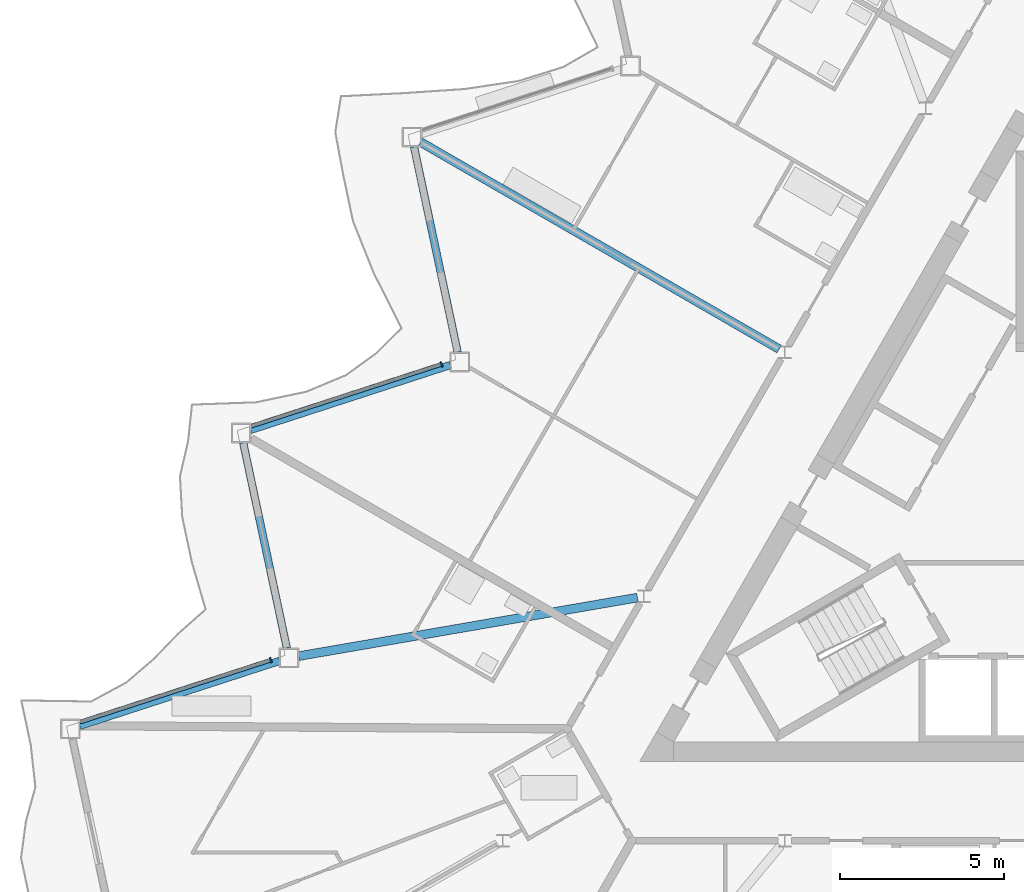
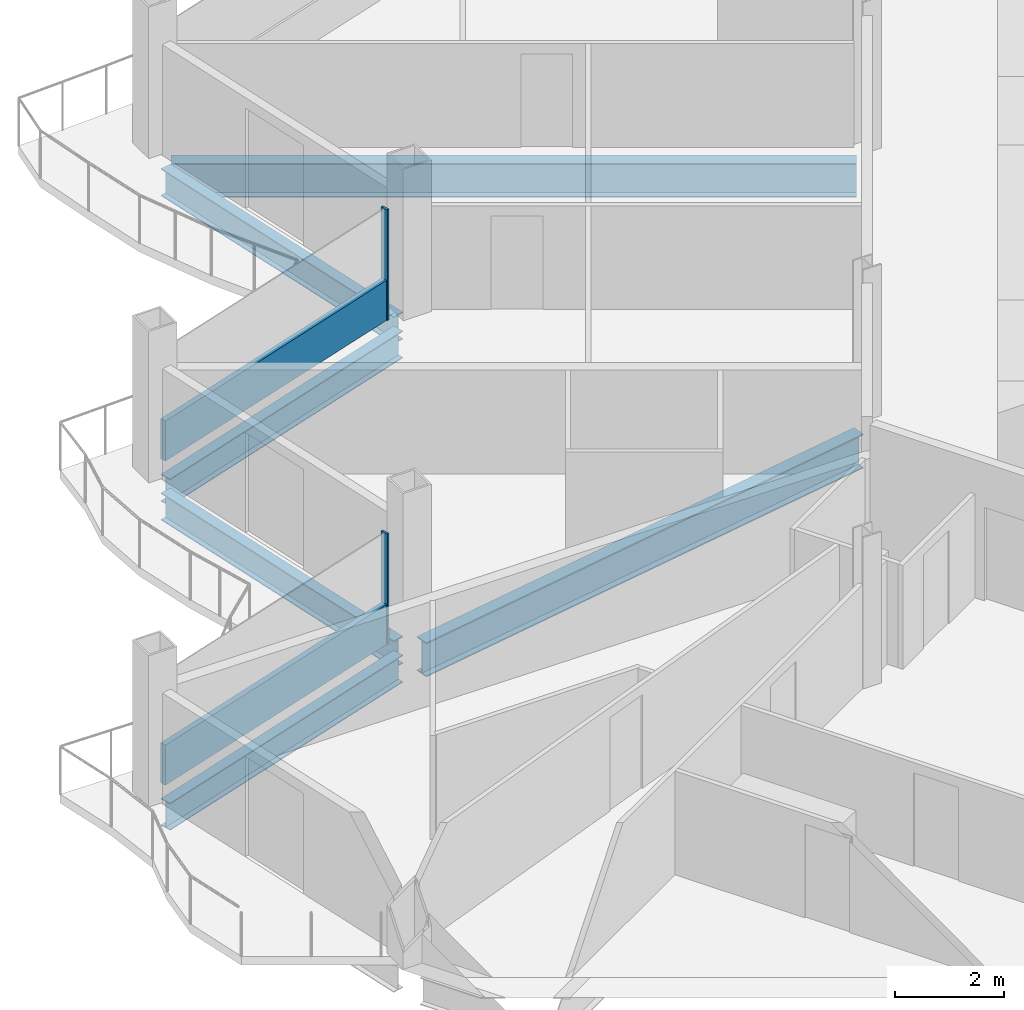
# One storey, part 6 of 26: 6 beams, 4 members, 2 elements without a shape of their own.
"""IFC4 building model written with IfcOpenShell, lengths in metres."""

from ifc_helpers import new_model, si_unit, direction, frame, origin, origin_2d, place, context, subcontext, project, spatial, rectangle, i_section, extrude, material, layer, layer_set, material_profile, profile_set, type_object, element, aggregate, save


model = new_model("IFC4")

# Units and contexts
model_context = context("Model", 3, precision=1e-05, world=origin(), true_north=direction((0.0, 1.0)))
body_context = subcontext(model_context, "Body", "Model", "MODEL_VIEW")
ifc_project = project(units=[si_unit("LENGTHUNIT", "METRE"), si_unit("AREAUNIT", "SQUARE_METRE"), si_unit("VOLUMEUNIT", "CUBIC_METRE"), si_unit("PLANEANGLEUNIT", "RADIAN"), si_unit("MASSUNIT", "GRAM", prefix="KILO")], contexts=[model_context])

# Site, building, storey
site_placement = place(None, origin())
site = spatial("IfcSite", under=ifc_project, at=site_placement, CompositionType="ELEMENT")
building_placement = place(site_placement, origin())
building = spatial("IfcBuilding", under=site, at=building_placement, Name="Cormorant Prow Tower", CompositionType="ELEMENT")
storey_placement = place(building_placement, frame((0.0, 0.0, 339.199951171875)))
storey = spatial("IfcBuildingStorey", under=building, at=storey_placement, Name="L76", CompositionType="ELEMENT", Elevation=339.199951171875)

# Beams
ifc_material_1 = material(Name="Structural steel ASTM A992 Gr 50", Category="steel")
ifc_material_profile_1 = material_profile(ifc_material_1, i_section(OverallWidth=0.267822265625, OverallDepth=0.77001953125, WebThickness=0.015625, FlangeThickness=0.025390625, at=origin_2d()), Name="W30x132")
ifc_profile_set_1 = profile_set([ifc_material_profile_1], Name="Structural steel ASTM A992 Gr 50")
beam_type_1 = type_object("IfcBeamType", Name="Radial floor beam W30x132", PredefinedType="BEAM", material=ifc_profile_set_1)
beam_1_placement = place(storey_placement, frame((-8.749755859375, 5.051513671875, -0.684814453125), z_axis=(-0.866021086443, 0.50000747778, 0.0), x_axis=(-0.50000747778, -0.866021086443, 0.0)))
element("IfcBeam", 1, at=beam_1_placement, inside=storey, type_object=beam_type_1, Name="Radial floor beam FB3 3 L76", PredefinedType="BEAM", context=body_context, shape_type="SweptSolid", body=[
    extrude(i_section(OverallWidth=0.267822265625, OverallDepth=0.77001953125, WebThickness=0.015625, FlangeThickness=0.025390625, at=origin_2d()), origin(), (0.0, 0.0, 1.0), 12.604736328125),
])
beam_2_placement = place(storey_placement, frame((-13.0625, -2.510009765625, -0.684814453125), z_axis=(-0.985379592304, -0.170373293304, 0.0), x_axis=(0.170373293304, -0.985379592304, 0.0)))
element("IfcBeam", 2, at=beam_2_placement, inside=storey, type_object=beam_type_1, Name="Radial floor beam FB3 4 L76", PredefinedType="BEAM", context=body_context, shape_type="SweptSolid", body=[
    extrude(i_section(OverallWidth=0.267822265625, OverallDepth=0.77001953125, WebThickness=0.015625, FlangeThickness=0.025390625, at=origin_2d()), origin(), (0.0, 0.0, 1.0), 10.465087890625),
])

# Curtain wall, member
ifc_material_2 = material(Name="Aluminium 6063-T6", Category="aluminium")
ifc_layer = layer(ifc_material_2, 0.159912109375)
ifc_layer_set = layer_set([ifc_layer], Name="Aluminium 6063-T6")
curtain_wall_type = type_object("IfcCurtainWallType", Name="Residential unitised curtain wall 160", PredefinedType="NOTDEFINED", material=ifc_layer_set)
curtain_wall_1_placement = place(storey_placement, origin())
curtain_wall_1 = element("IfcCurtainWall", 3, at=curtain_wall_1_placement, inside=storey, type_object=curtain_wall_type, Name="Residential curtain wall WNW06", PredefinedType="NOTDEFINED")
ifc_material_3 = material(Name="Aluminium 6063-T6", Category="aluminium")
ifc_material_profile_2 = material_profile(ifc_material_3, rectangle(XDim=0.159912109375, YDim=0.050048828125, at=origin_2d()), Name="Residential mullion 50x160")
ifc_profile_set_2 = profile_set([ifc_material_profile_2], Name="Aluminium 6063-T6")
member_type_1 = type_object("IfcMemberType", Name="Residential mullion 50x160", PredefinedType="MULLION", material=ifc_profile_set_2)
member_1_placement = place(storey_placement, frame((-19.02685546875, 4.58984375, 0.0), z_axis=(0.0, 0.0, 1.0), x_axis=(0.309017030329, -0.951056504613, 0.0)))
member_1 = element("IfcMember", 4, at=member_1_placement, type_object=member_type_1, Name="Residential mullion WNW06", PredefinedType="MULLION", context=body_context, shape_type="SweptSolid", body=[
    extrude(rectangle(XDim=0.159912109375, YDim=0.050048828125, at=origin_2d()), origin(), (0.0, 0.0, 1.0), 2.488037109375),
])

curtain_wall_2_placement = place(storey_placement, origin())
curtain_wall_2 = element("IfcCurtainWall", 5, at=curtain_wall_2_placement, inside=storey, type_object=curtain_wall_type, Name="Residential curtain wall WNW08", PredefinedType="NOTDEFINED")
member_2_placement = place(storey_placement, frame((-24.224365234375, -4.41259765625, 0.0), z_axis=(0.0, 0.0, 1.0), x_axis=(0.309017072341, -0.951056490963, 0.0)))
member_2 = element("IfcMember", 6, at=member_2_placement, type_object=member_type_1, Name="Residential mullion WNW08", PredefinedType="MULLION", context=body_context, shape_type="SweptSolid", body=[
    extrude(rectangle(XDim=0.159912109375, YDim=0.050048828125, at=origin_2d()), origin(), (0.0, 0.0, 1.0), 2.488037109375),
])

# Member
ifc_material_4 = material(Name="Terracotta", Category="masonry")
ifc_material_profile_3 = material_profile(ifc_material_4, rectangle(XDim=0.1201171875, YDim=0.89990234375, at=origin_2d()), Name="Residential terracotta spandrel rail 120x900")
ifc_profile_set_3 = profile_set([ifc_material_profile_3], Name="Terracotta")
member_type_2 = type_object("IfcMemberType", Name="Residential terracotta spandrel rail 120x900", PredefinedType="USERDEFINED", material=ifc_profile_set_3)
member_3_placement = place(storey_placement, frame((-19.05078125, 4.58203125, 0.449951171875), z_axis=(-0.951050898488, -0.309034283674, 0.0), x_axis=(0.309034283674, -0.951050898488, 0.0)))
member_3 = element("IfcMember", 7, at=member_3_placement, type_object=member_type_2, Name="Residential spandrel rail WNW06", ObjectType="TRANSOM", PredefinedType="USERDEFINED", context=body_context, shape_type="SweptSolid", body=[
    extrude(rectangle(XDim=0.1201171875, YDim=0.89990234375, at=origin_2d()), origin(), (0.0, 0.0, 1.0), 6.075927734375),
])

aggregate(curtain_wall_1, [member_1, member_3])

member_4_placement = place(storey_placement, frame((-24.248291015625, -4.42041015625, 0.449951171875), z_axis=(-0.951062707515, -0.30899793911, 0.0), x_axis=(0.30899793911, -0.951062707515, 0.0)))
member_4 = element("IfcMember", 8, at=member_4_placement, type_object=member_type_2, Name="Residential spandrel rail WNW08", ObjectType="TRANSOM", PredefinedType="USERDEFINED", context=body_context, shape_type="SweptSolid", body=[
    extrude(rectangle(XDim=0.1201171875, YDim=0.89990234375, at=origin_2d()), origin(), (0.0, 0.0, 1.0), 6.075927734375),
])

aggregate(curtain_wall_2, [member_2, member_4])

# Beams
ifc_material_5 = material(Name="Structural steel ASTM A992 Gr 50", Category="steel")
ifc_material_profile_4 = material_profile(ifc_material_5, i_section(OverallWidth=0.22900390625, OverallDepth=0.612060546875, WebThickness=0.011962890625, FlangeThickness=0.01953125, at=origin_2d()), Name="W24x84")
ifc_profile_set_4 = profile_set([ifc_material_profile_4], Name="Structural steel ASTM A992 Gr 50")
beam_type_2 = type_object("IfcBeamType", Name="Spandrel beam W24x84", PredefinedType="SPANDREL", material=ifc_profile_set_4)
beam_3_placement = place(storey_placement, frame((-19.86328125, 11.210693359375, -0.60595703125), z_axis=(0.20791262393, -0.978147402394, 0.0), x_axis=(0.978147402394, 0.20791262393, 0.0)))
element("IfcBeam", 9, at=beam_3_placement, inside=storey, type_object=beam_type_2, Name="Spandrel beam SB3 WNW05-WNW06 L76", PredefinedType="SPANDREL", context=body_context, shape_type="SweptSolid", body=[
    extrude(i_section(OverallWidth=0.22900390625, OverallDepth=0.612060546875, WebThickness=0.011962890625, FlangeThickness=0.01953125, at=origin_2d()), origin(), (0.0, 0.0, 1.0), 6.396240234375),
])
beam_4_placement = place(storey_placement, frame((-18.75634765625, 4.568115234375, -0.60595703125), z_axis=(-0.951064359156, -0.308992855489, 0.0), x_axis=(0.308992855489, -0.951064359156, 0.0)))
element("IfcBeam", 10, at=beam_4_placement, inside=storey, type_object=beam_type_2, Name="Spandrel beam SB3 WNW06-WNW07 L76", PredefinedType="SPANDREL", context=body_context, shape_type="SweptSolid", body=[
    extrude(i_section(OverallWidth=0.22900390625, OverallDepth=0.612060546875, WebThickness=0.011962890625, FlangeThickness=0.01953125, at=origin_2d()), origin(), (0.0, 0.0, 1.0), 6.39599609375),
])
beam_5_placement = place(storey_placement, frame((-25.062255859375, 2.20556640625, -0.60595703125), z_axis=(0.20791262393, -0.978147402394, 0.0), x_axis=(0.978147402394, 0.20791262393, 0.0)))
element("IfcBeam", 11, at=beam_5_placement, inside=storey, type_object=beam_type_2, Name="Spandrel beam SB3 WNW07-WNW08 L76", PredefinedType="SPANDREL", context=body_context, shape_type="SweptSolid", body=[
    extrude(i_section(OverallWidth=0.22900390625, OverallDepth=0.612060546875, WebThickness=0.011962890625, FlangeThickness=0.01953125, at=origin_2d()), origin(), (0.0, 0.0, 1.0), 6.396240234375),
])
beam_6_placement = place(storey_placement, frame((-23.955322265625, -4.43701171875, -0.60595703125), z_axis=(-0.951064359156, -0.308992855489, 0.0), x_axis=(0.308992855489, -0.951064359156, 0.0)))
element("IfcBeam", 12, at=beam_6_placement, inside=storey, type_object=beam_type_2, Name="Spandrel beam SB3 WNW08-WNW09 L76", PredefinedType="SPANDREL", context=body_context, shape_type="SweptSolid", body=[
    extrude(i_section(OverallWidth=0.22900390625, OverallDepth=0.612060546875, WebThickness=0.011962890625, FlangeThickness=0.01953125, at=origin_2d()), origin(), (0.0, 0.0, 1.0), 6.39599609375),
])

save(model, "model.ifc")
